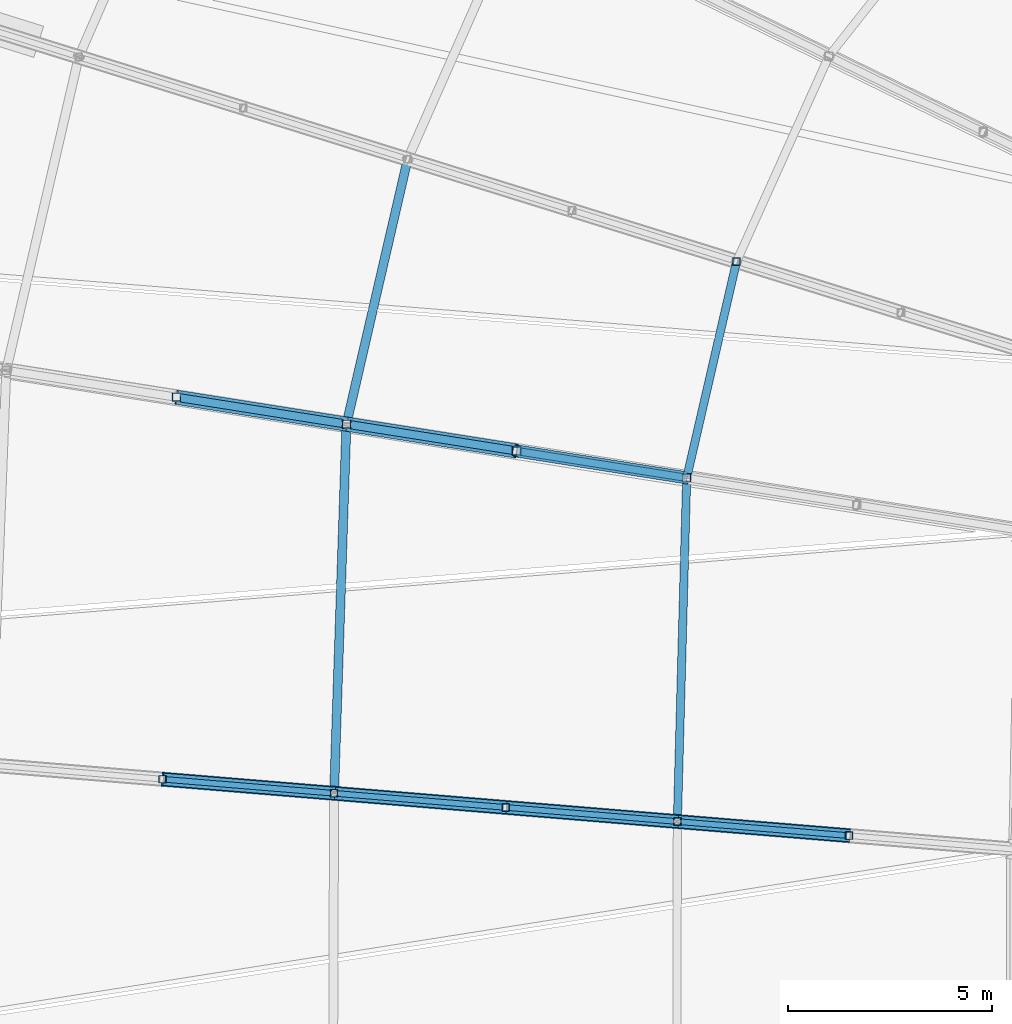
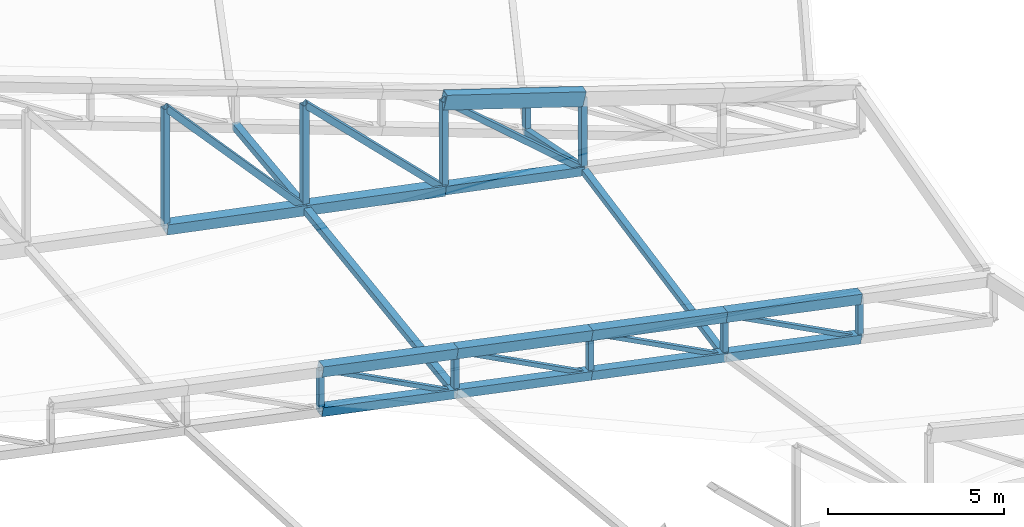
# One storey, part 125 of 344: 33 members.
"""IFC4 building model written with IfcOpenShell, lengths in metres."""

from ifc_helpers import new_model, si_unit, direction, frame, origin, origin_2d, place, context, subcontext, project, spatial, hollow_rectangle, extrude, material, material_profile, profile_set, type_object, element, save


model = new_model("IFC4")

# Units and contexts
model_context = context("Model", 3, precision=1e-05, world=origin(), true_north=direction((0.0, 1.0)))
body_context = subcontext(model_context, "Body", "Model", "MODEL_VIEW")
ifc_project = project(units=[si_unit("LENGTHUNIT", "METRE"), si_unit("AREAUNIT", "SQUARE_METRE"), si_unit("VOLUMEUNIT", "CUBIC_METRE"), si_unit("PLANEANGLEUNIT", "RADIAN"), si_unit("MASSUNIT", "GRAM", prefix="KILO")], contexts=[model_context])

# Site, building, storey
site_placement = place(None, origin())
site = spatial("IfcSite", under=ifc_project, at=site_placement, CompositionType="ELEMENT")
building_placement = place(site_placement, origin())
building = spatial("IfcBuilding", under=site, at=building_placement, Name="Meseta Stadium", CompositionType="ELEMENT")
storey_placement = place(building_placement, frame((0.0, 0.0, 24.0)))
storey = spatial("IfcBuildingStorey", under=building, at=storey_placement, Name="L04", CompositionType="ELEMENT", Elevation=24.0)

# Members
ifc_material_1 = material(Name="Steel S355", Category="steel")
ifc_material_profile_1 = material_profile(ifc_material_1, hollow_rectangle(XDim=0.300048828125, YDim=0.5, WallThickness=0.01611328125, at=origin_2d()), Name="RHS 500x300x16")
ifc_profile_set_1 = profile_set([ifc_material_profile_1], Name="Steel S355")
member_type_1 = type_object("IfcMemberType", Name="RHS 500x300x16 top chord", PredefinedType="CHORD", material=ifc_profile_set_1)
member_1_placement = place(storey_placement, frame((-55.170166015625, 48.95166015625, 6.12060546875), z_axis=(-0.96425359107, 0.152410999642, 0.216762310602), x_axis=(-0.15612291387, -0.987737635086, 0.0)))
element("IfcMember", 1, at=member_1_placement, inside=storey, type_object=member_type_1, Name="ROOF TRUSS RT-28 top chord", PredefinedType="CHORD", context=body_context, shape_type="SweptSolid", body=[
    extrude(hollow_rectangle(XDim=0.300048828125, YDim=0.5, WallThickness=0.01611328125, at=origin_2d()), origin(), (0.0, 0.0, 1.0), 4.324951171875),
])
ifc_material_2 = material(Name="Steel S355", Category="steel")
ifc_material_profile_2 = material_profile(ifc_material_2, hollow_rectangle(XDim=0.139892578125, YDim=0.139892578125, WallThickness=0.0048828125, at=origin_2d()), Name="SHS 140x140x5")
ifc_profile_set_2 = profile_set([ifc_material_profile_2], Name="Steel S355")
member_type_2 = type_object("IfcMemberType", Name="SHS 140x140x5 diagonal", PredefinedType="BRACE", material=ifc_profile_set_2)
member_2_placement = place(storey_placement, frame((-51.1904296875, 40.18017578125, 1.732177734375), z_axis=(-0.897426764102, 0.073835285843, 0.434940862231), x_axis=(-0.08199738602, -0.996632544465, 0.0)))
element("IfcMember", 2, at=member_2_placement, inside=storey, type_object=member_type_2, Name="ROOF TRUSS RT-29 diagonal", PredefinedType="BRACE", context=body_context, shape_type="SweptSolid", body=[
    extrude(hollow_rectangle(XDim=0.139892578125, YDim=0.139892578125, WallThickness=0.0048828125, at=origin_2d()), origin(), (0.0, 0.0, 1.0), 4.688720703125),
])
for number, where, z_axis, x_axis, name in (
    (3, (-55.398193359375, 40.5263671875, 2.36572265625), (-0.897440346301, 0.073780051677, 0.434922210063), (-0.081935226242, -0.996637656674, 0.0), "ROOF TRUSS RT-29 diagonal"),
    (4, (-59.606201171875, 40.872314453125, 2.999267578125), (-0.897440346301, 0.073780051677, 0.434922210063), (-0.081935226242, -0.996637656674, 0.0), "ROOF TRUSS RT-29 diagonal"),
    (5, (-63.814208984375, 41.21826171875, 3.632568359375), (-0.89741657431, 0.073830163749, 0.434962755963), (-0.081992660671, -0.996632933229, 0.0), "ROOF TRUSS RT-29 diagonal"),
):
    element("IfcMember", number, at=place(storey_placement, frame(where, z_axis=z_axis, x_axis=x_axis)), inside=storey, type_object=member_type_2, Name=name, PredefinedType="BRACE", context=body_context, shape_type="SweptSolid", body=[
        extrude(hollow_rectangle(XDim=0.139892578125, YDim=0.139892578125, WallThickness=0.0048828125, at=origin_2d()), origin(), (0.0, 0.0, 1.0), 4.68896484375),
    ])
ifc_material_3 = material(Name="Steel S355", Category="steel")
ifc_material_profile_3 = material_profile(ifc_material_3, hollow_rectangle(XDim=0.179931640625, YDim=0.179931640625, WallThickness=0.00634765625, at=origin_2d()), Name="SHS 180x180x6.3")
ifc_profile_set_3 = profile_set([ifc_material_profile_3], Name="Steel S355")
member_type_3 = type_object("IfcMemberType", Name="SHS 180x180x6.3 diagonal", PredefinedType="BRACE", material=ifc_profile_set_3)
member_3_placement = place(storey_placement, frame((-55.170166015625, 48.95166015625, 3.624267578125), z_axis=(-0.766302616518, 0.1211226475, 0.630959272996), x_axis=(-0.15612291387, -0.987737635086, 0.0)))
element("IfcMember", 6, at=member_3_placement, inside=storey, type_object=member_type_3, Name="ROOF TRUSS RT-28 diagonal", PredefinedType="BRACE", context=body_context, shape_type="SweptSolid", body=[
    extrude(hollow_rectangle(XDim=0.179931640625, YDim=0.179931640625, WallThickness=0.00634765625, at=origin_2d()), origin(), (0.0, 0.0, 1.0), 5.442138671875),
])
ifc_material_4 = material(Name="Steel S355", Category="steel")
ifc_material_profile_4 = material_profile(ifc_material_4, hollow_rectangle(XDim=0.179931640625, YDim=0.179931640625, WallThickness=0.00634765625, at=origin_2d()), Name="SHS 180x180x6.3")
ifc_profile_set_4 = profile_set([ifc_material_profile_4], Name="Steel S355")
member_type_4 = type_object("IfcMemberType", Name="SHS 180x180x6.3 post", PredefinedType="POST", material=ifc_profile_set_4)
member_4_placement = place(storey_placement, frame((-53.947021484375, 54.2568359375, 1.271240234375), z_axis=(0.0, 0.0, 1.0), x_axis=(1.0, 0.0, 0.0)))
element("IfcMember", 7, at=member_4_placement, inside=storey, type_object=member_type_4, Name="ROOF TRUSS RT-27 post", PredefinedType="POST", context=body_context, shape_type="SweptSolid", body=[
    extrude(hollow_rectangle(XDim=0.179931640625, YDim=0.179931640625, WallThickness=0.00634765625, at=origin_2d()), origin(), (0.0, 0.0, 1.0), 1.300048828125),
])
member_5_placement = place(storey_placement, frame((-51.1904296875, 40.18017578125, 1.732177734375), z_axis=(0.0, 0.0, 1.0), x_axis=(1.0, 0.0, 0.0)))
element("IfcMember", 8, at=member_5_placement, inside=storey, type_object=member_type_4, Name="ROOF TRUSS RT-29 post", PredefinedType="POST", context=body_context, shape_type="SweptSolid", body=[
    extrude(hollow_rectangle(XDim=0.179931640625, YDim=0.179931640625, WallThickness=0.00634765625, at=origin_2d()), origin(), (0.0, 0.0, 1.0), 1.406005859375),
])
for number, where, z_axis, x_axis, name in (
    (9, (-55.398193359375, 40.5263671875, 2.36572265625), (0.0, 0.0, 1.0), (1.0, 0.0, 0.0), "ROOF TRUSS RT-29 post"),
    (10, (-59.606201171875, 40.872314453125, 2.999267578125), (0.0, 0.0, 1.0), (1.0, 0.0, 0.0), "ROOF TRUSS RT-29 post"),
):
    element("IfcMember", number, at=place(storey_placement, frame(where, z_axis=z_axis, x_axis=x_axis)), inside=storey, type_object=member_type_4, Name=name, PredefinedType="POST", context=body_context, shape_type="SweptSolid", body=[
        extrude(hollow_rectangle(XDim=0.179931640625, YDim=0.179931640625, WallThickness=0.00634765625, at=origin_2d()), origin(), (0.0, 0.0, 1.0), 1.40576171875),
    ])
for number, where, z_axis, x_axis, name in (
    (11, (-63.814208984375, 41.21826171875, 3.632568359375), (0.0, 0.0, 1.0), (1.0, 0.0, 0.0), "ROOF TRUSS RT-29 post"),
    (12, (-68.022216796875, 41.564453125, 4.26611328125), (0.0, 0.0, 1.0), (1.0, 0.0, 0.0), "ROOF TRUSS RT-29 post"),
):
    element("IfcMember", number, at=place(storey_placement, frame(where, z_axis=z_axis, x_axis=x_axis)), inside=storey, type_object=member_type_4, Name=name, PredefinedType="POST", context=body_context, shape_type="SweptSolid", body=[
        extrude(hollow_rectangle(XDim=0.179931640625, YDim=0.179931640625, WallThickness=0.00634765625, at=origin_2d()), origin(), (0.0, 0.0, 1.0), 1.406005859375),
    ])
ifc_material_5 = material(Name="Steel S355", Category="steel")
ifc_material_profile_5 = material_profile(ifc_material_5, hollow_rectangle(XDim=0.199951171875, YDim=0.199951171875, WallThickness=0.008056640625, at=origin_2d()), Name="SHS 200x200x8")
ifc_profile_set_5 = profile_set([ifc_material_profile_5], Name="Steel S355")
member_type_5 = type_object("IfcMemberType", Name="SHS 200x200x8 diagonal", PredefinedType="BRACE", material=ifc_profile_set_5)
member_6_placement = place(storey_placement, frame((-59.340576171875, 49.61083984375, 4.013671875), z_axis=(-0.718601373009, 0.113576286784, 0.686084902756), x_axis=(-0.15611399753, -0.987739044371, 0.0)))
element("IfcMember", 13, at=member_6_placement, inside=storey, type_object=member_type_5, Name="ROOF TRUSS RT-28 diagonal", PredefinedType="BRACE", context=body_context, shape_type="SweptSolid", body=[
    extrude(hollow_rectangle(XDim=0.199951171875, YDim=0.199951171875, WallThickness=0.008056640625, at=origin_2d()), origin(), (0.0, 0.0, 1.0), 5.803955078125),
])
member_7_placement = place(storey_placement, frame((-63.51123046875, 50.27001953125, 4.403076171875), z_axis=(-0.673455972667, 0.106407778376, 0.731528835782), x_axis=(-0.156066499211, -0.987746550398, 0.0)))
element("IfcMember", 14, at=member_7_placement, inside=storey, type_object=member_type_5, Name="ROOF TRUSS RT-28 diagonal", PredefinedType="BRACE", context=body_context, shape_type="SweptSolid", body=[
    extrude(hollow_rectangle(XDim=0.199951171875, YDim=0.199951171875, WallThickness=0.008056640625, at=origin_2d()), origin(), (0.0, 0.0, 1.0), 6.192626953125),
])
ifc_material_6 = material(Name="Steel S355", Category="steel")
ifc_material_profile_6 = material_profile(ifc_material_6, hollow_rectangle(XDim=0.199951171875, YDim=0.199951171875, WallThickness=0.008056640625, at=origin_2d()), Name="SHS 200x200x8")
ifc_profile_set_6 = profile_set([ifc_material_profile_6], Name="Steel S355")
member_type_6 = type_object("IfcMemberType", Name="SHS 200x200x8 post", PredefinedType="POST", material=ifc_profile_set_6)
member_8_placement = place(storey_placement, frame((-55.170166015625, 48.95166015625, 3.624267578125), z_axis=(0.0, 0.0, 1.0), x_axis=(1.0, 0.0, 0.0)))
element("IfcMember", 15, at=member_8_placement, inside=storey, type_object=member_type_6, Name="ROOF TRUSS RT-28 post", PredefinedType="POST", context=body_context, shape_type="SweptSolid", body=[
    extrude(hollow_rectangle(XDim=0.199951171875, YDim=0.199951171875, WallThickness=0.008056640625, at=origin_2d()), origin(), (0.0, 0.0, 1.0), 2.496337890625),
])
member_9_placement = place(storey_placement, frame((-59.340576171875, 49.61083984375, 4.013671875), z_axis=(0.0, 0.0, 1.0), x_axis=(1.0, 0.0, 0.0)))
element("IfcMember", 16, at=member_9_placement, inside=storey, type_object=member_type_6, Name="ROOF TRUSS RT-28 post", PredefinedType="POST", context=body_context, shape_type="SweptSolid", body=[
    extrude(hollow_rectangle(XDim=0.199951171875, YDim=0.199951171875, WallThickness=0.008056640625, at=origin_2d()), origin(), (0.0, 0.0, 1.0), 3.04443359375),
])
member_10_placement = place(storey_placement, frame((-63.51123046875, 50.27001953125, 4.403076171875), z_axis=(0.0, 0.0, 1.0), x_axis=(1.0, 0.0, 0.0)))
element("IfcMember", 17, at=member_10_placement, inside=storey, type_object=member_type_6, Name="ROOF TRUSS RT-28 post", PredefinedType="POST", context=body_context, shape_type="SweptSolid", body=[
    extrude(hollow_rectangle(XDim=0.199951171875, YDim=0.199951171875, WallThickness=0.008056640625, at=origin_2d()), origin(), (0.0, 0.0, 1.0), 3.592529296875),
])
member_11_placement = place(storey_placement, frame((-67.681640625, 50.928955078125, 4.79248046875), z_axis=(0.0, 0.0, 1.0), x_axis=(1.0, 0.0, 0.0)))
element("IfcMember", 18, at=member_11_placement, inside=storey, type_object=member_type_6, Name="ROOF TRUSS RT-28 post", PredefinedType="POST", context=body_context, shape_type="SweptSolid", body=[
    extrude(hollow_rectangle(XDim=0.199951171875, YDim=0.199951171875, WallThickness=0.008056640625, at=origin_2d()), origin(), (0.0, 0.0, 1.0), 4.140625),
])
ifc_material_7 = material(Name="Steel S355", Category="steel")
ifc_material_profile_7 = material_profile(ifc_material_7, hollow_rectangle(XDim=0.199951171875, YDim=0.199951171875, WallThickness=0.008056640625, at=origin_2d()), Name="SHS 200x200x8")
ifc_profile_set_7 = profile_set([ifc_material_profile_7], Name="Steel S355")
member_type_7 = type_object("IfcMemberType", Name="SHS 200x200x8 strut", PredefinedType="STRUT", material=ifc_profile_set_7)
member_12_placement = place(storey_placement, frame((-53.947021484375, 54.2568359375, 1.271240234375), z_axis=(-0.206226273384, -0.89447044324, 0.396728307959), x_axis=(0.974436522648, -0.224662999469, 0.0)))
element("IfcMember", 19, at=member_12_placement, inside=storey, type_object=member_type_7, Name="ROOF TRUSS STRUT RT-27/28", PredefinedType="STRUT", context=body_context, shape_type="SweptSolid", body=[
    extrude(hollow_rectangle(XDim=0.199951171875, YDim=0.199951171875, WallThickness=0.008056640625, at=origin_2d()), origin(), (0.0, 0.0, 1.0), 5.93115234375),
])
member_13_placement = place(storey_placement, frame((-55.170166015625, 48.95166015625, 3.624267578125), z_axis=(-0.026758042579, -0.988672429772, -0.147684913807), x_axis=(0.999633954283, -0.027054712063, 0.0)))
element("IfcMember", 20, at=member_13_placement, inside=storey, type_object=member_type_7, Name="ROOF TRUSS STRUT RT-28/29", PredefinedType="STRUT", context=body_context, shape_type="SweptSolid", body=[
    extrude(hollow_rectangle(XDim=0.199951171875, YDim=0.199951171875, WallThickness=0.008056640625, at=origin_2d()), origin(), (0.0, 0.0, 1.0), 8.521728515625),
])
ifc_material_8 = material(Name="Steel S355", Category="steel")
ifc_material_profile_8 = material_profile(ifc_material_8, hollow_rectangle(XDim=0.219970703125, YDim=0.219970703125, WallThickness=0.008056640625, at=origin_2d()), Name="SHS 220x220x8")
ifc_profile_set_8 = profile_set([ifc_material_profile_8], Name="Steel S355")
member_type_8 = type_object("IfcMemberType", Name="SHS 220x220x8 strut", PredefinedType="STRUT", material=ifc_profile_set_8)
member_14_placement = place(storey_placement, frame((-62.010498046875, 56.7646484375, 2.763916015625), z_axis=(-0.218627147143, -0.946139477519, 0.238793340804), x_axis=(0.974326339441, -0.225140365707, 0.0)))
element("IfcMember", 21, at=member_14_placement, inside=storey, type_object=member_type_8, Name="ROOF TRUSS STRUT RT-27/28", PredefinedType="STRUT", context=body_context, shape_type="SweptSolid", body=[
    extrude(hollow_rectangle(XDim=0.219970703125, YDim=0.219970703125, WallThickness=0.008056640625, at=origin_2d()), origin(), (0.0, 0.0, 1.0), 6.8642578125),
])
member_15_placement = place(storey_placement, frame((-63.51123046875, 50.27001953125, 4.403076171875), z_axis=(-0.033332644442, -0.995842969644, -0.084768594568), x_axis=(0.999440289979, -0.033453053184, 0.0)))
element("IfcMember", 22, at=member_15_placement, inside=storey, type_object=member_type_8, Name="ROOF TRUSS STRUT RT-28/29", PredefinedType="STRUT", context=body_context, shape_type="SweptSolid", body=[
    extrude(hollow_rectangle(XDim=0.219970703125, YDim=0.219970703125, WallThickness=0.008056640625, at=origin_2d()), origin(), (0.0, 0.0, 1.0), 9.089599609375),
])
ifc_material_9 = material(Name="Steel S355", Category="steel")
ifc_material_profile_9 = material_profile(ifc_material_9, hollow_rectangle(XDim=0.300048828125, YDim=0.300048828125, WallThickness=0.010009765625, at=origin_2d()), Name="SHS 300x300x10")
ifc_profile_set_9 = profile_set([ifc_material_profile_9], Name="Steel S355")
member_type_9 = type_object("IfcMemberType", Name="SHS 300x300x10 bottom chord", PredefinedType="CHORD", material=ifc_profile_set_9)
member_16_placement = place(storey_placement, frame((-55.170166015625, 48.95166015625, 3.624267578125), z_axis=(-0.98356338082, 0.155463126579, 0.091838402553), x_axis=(-0.15612291387, -0.987737635086, 0.0)))
element("IfcMember", 23, at=member_16_placement, inside=storey, type_object=member_type_9, Name="ROOF TRUSS RT-28 bottom chord", PredefinedType="CHORD", context=body_context, shape_type="SweptSolid", body=[
    extrude(hollow_rectangle(XDim=0.300048828125, YDim=0.300048828125, WallThickness=0.010009765625, at=origin_2d()), origin(), (0.0, 0.0, 1.0), 4.239990234375),
])
member_17_placement = place(storey_placement, frame((-51.1904296875, 40.18017578125, 1.732177734375), z_axis=(-0.985597666851, 0.081089497627, 0.148397211806), x_axis=(-0.08199738602, -0.996632544465, 0.0)))
element("IfcMember", 24, at=member_17_placement, inside=storey, type_object=member_type_9, Name="ROOF TRUSS RT-29 bottom chord", PredefinedType="CHORD", context=body_context, shape_type="SweptSolid", body=[
    extrude(hollow_rectangle(XDim=0.300048828125, YDim=0.300048828125, WallThickness=0.010009765625, at=origin_2d()), origin(), (0.0, 0.0, 1.0), 4.269287109375),
])
for number, where, z_axis, x_axis, name in (
    (25, (-55.398193359375, 40.5263671875, 2.36572265625), (-0.985603870366, 0.081028120464, 0.148389536064), (-0.081935226242, -0.996637656674, 0.0), "ROOF TRUSS RT-29 bottom chord"),
    (26, (-59.606201171875, 40.872314453125, 2.999267578125), (-0.985612232044, 0.081028807891, 0.148333611622), (-0.081935226242, -0.996637656674, 0.0), "ROOF TRUSS RT-29 bottom chord"),
    (27, (-63.814208984375, 41.21826171875, 3.632568359375), (-0.98559930207, 0.081084927497, 0.148388848275), (-0.081992660671, -0.996632933229, 0.0), "ROOF TRUSS RT-29 bottom chord"),
):
    element("IfcMember", number, at=place(storey_placement, frame(where, z_axis=z_axis, x_axis=x_axis)), inside=storey, type_object=member_type_9, Name=name, PredefinedType="CHORD", context=body_context, shape_type="SweptSolid", body=[
        extrude(hollow_rectangle(XDim=0.300048828125, YDim=0.300048828125, WallThickness=0.010009765625, at=origin_2d()), origin(), (0.0, 0.0, 1.0), 4.26953125),
    ])
ifc_material_10 = material(Name="Steel S355", Category="steel")
ifc_material_profile_10 = material_profile(ifc_material_10, hollow_rectangle(XDim=0.35009765625, YDim=0.35009765625, WallThickness=0.010009765625, at=origin_2d()), Name="SHS 350x350x10")
ifc_profile_set_10 = profile_set([ifc_material_profile_10], Name="Steel S355")
member_type_10 = type_object("IfcMemberType", Name="SHS 350x350x10 top chord", PredefinedType="CHORD", material=ifc_profile_set_10)
member_18_placement = place(storey_placement, frame((-51.1904296875, 40.18017578125, 3.13818359375), z_axis=(-0.985606029342, 0.081090185646, 0.148341284602), x_axis=(-0.08199738602, -0.996632544465, 0.0)))
element("IfcMember", 28, at=member_18_placement, inside=storey, type_object=member_type_10, Name="ROOF TRUSS RT-29 top chord", PredefinedType="CHORD", context=body_context, shape_type="SweptSolid", body=[
    extrude(hollow_rectangle(XDim=0.35009765625, YDim=0.35009765625, WallThickness=0.010009765625, at=origin_2d()), origin(), (0.0, 0.0, 1.0), 4.269287109375),
])
for number, where, z_axis, x_axis, name in (
    (29, (-55.398193359375, 40.5263671875, 3.771484375), (-0.985603870366, 0.081028120464, 0.148389536064), (-0.081935226242, -0.996637656674, 0.0), "ROOF TRUSS RT-29 top chord"),
    (30, (-59.606201171875, 40.872314453125, 4.405029296875), (-0.985603870366, 0.081028120464, 0.148389536064), (-0.081935226242, -0.996637656674, 0.0), "ROOF TRUSS RT-29 top chord"),
    (31, (-63.814208984375, 41.21826171875, 5.03857421875), (-0.98559930207, 0.081084927497, 0.148388848275), (-0.081992660671, -0.996632933229, 0.0), "ROOF TRUSS RT-29 top chord"),
):
    element("IfcMember", number, at=place(storey_placement, frame(where, z_axis=z_axis, x_axis=x_axis)), inside=storey, type_object=member_type_10, Name=name, PredefinedType="CHORD", context=body_context, shape_type="SweptSolid", body=[
        extrude(hollow_rectangle(XDim=0.35009765625, YDim=0.35009765625, WallThickness=0.010009765625, at=origin_2d()), origin(), (0.0, 0.0, 1.0), 4.26953125),
    ])
ifc_material_11 = material(Name="Steel S355", Category="steel")
ifc_material_profile_11 = material_profile(ifc_material_11, hollow_rectangle(XDim=0.35009765625, YDim=0.35009765625, WallThickness=0.01416015625, at=origin_2d()), Name="SHS 350x350x14.2")
ifc_profile_set_11 = profile_set([ifc_material_profile_11], Name="Steel S355")
member_type_11 = type_object("IfcMemberType", Name="SHS 350x350x14.2 bottom chord", PredefinedType="CHORD", material=ifc_profile_set_11)
member_19_placement = place(storey_placement, frame((-59.340576171875, 49.61083984375, 4.013671875), z_axis=(-0.983565257911, 0.155454322798, 0.091833201801), x_axis=(-0.15611399753, -0.987739044371, 0.0)))
element("IfcMember", 32, at=member_19_placement, inside=storey, type_object=member_type_11, Name="ROOF TRUSS RT-28 bottom chord", PredefinedType="CHORD", context=body_context, shape_type="SweptSolid", body=[
    extrude(hollow_rectangle(XDim=0.35009765625, YDim=0.35009765625, WallThickness=0.01416015625, at=origin_2d()), origin(), (0.0, 0.0, 1.0), 4.240234375),
])
member_20_placement = place(storey_placement, frame((-63.51123046875, 50.27001953125, 4.403076171875), z_axis=(-0.983572183579, 0.155406938501, 0.091839224494), x_axis=(-0.156066499211, -0.987746550398, 0.0)))
element("IfcMember", 33, at=member_20_placement, inside=storey, type_object=member_type_11, Name="ROOF TRUSS RT-28 bottom chord", PredefinedType="CHORD", context=body_context, shape_type="SweptSolid", body=[
    extrude(hollow_rectangle(XDim=0.35009765625, YDim=0.35009765625, WallThickness=0.01416015625, at=origin_2d()), origin(), (0.0, 0.0, 1.0), 4.239990234375),
])

save(model, "model.ifc")
